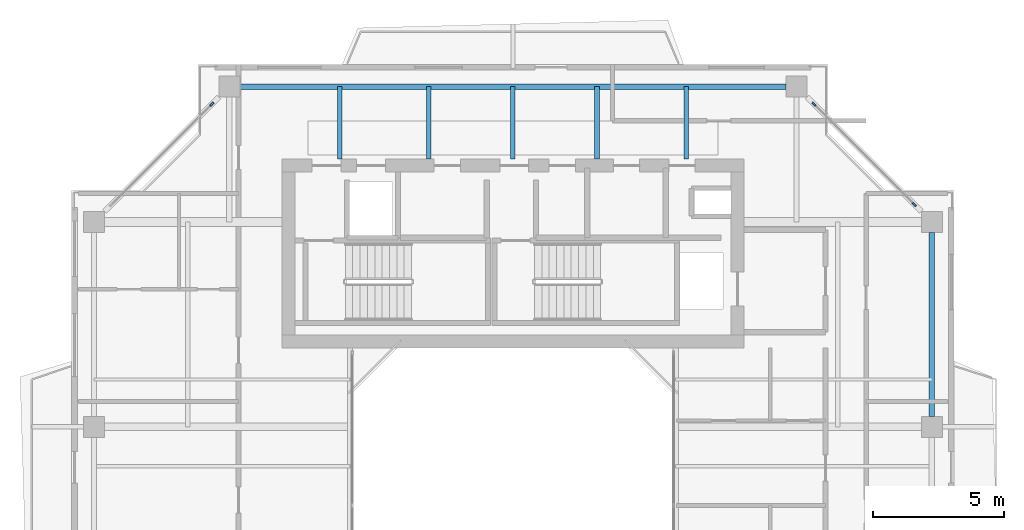
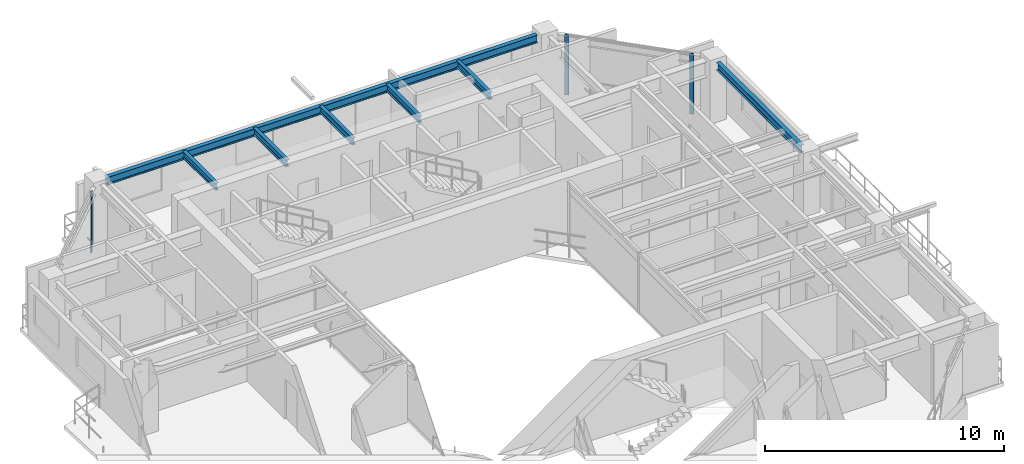
# One storey, part 8 of 15: 7 beams, 3 members, 2 elements without a shape of their own.
"""IFC4 building model written with IfcOpenShell, lengths in metres."""

import ifcopenshell
import ifcopenshell.guid

model = None  # the IFC model being written
_history = None  # IfcOwnerHistory: only IFC2X3 demands one
_inside = {}  # id of a spatial element -> (the spatial element, [elements in it])
_under = {}  # id of a project, library or spatial element -> (it, [spatial elements below it])
_declared = {}  # id of a project -> (the project, [libraries it declares])
_typed = {}  # id of a type object -> (the type object, [elements of that type])
_made_of = {}  # id of a material, layer set ... -> (it, [elements and type objects made of it])


def new_model(schema):
    """Start an empty IFC model of exactly this schema.

    Asked for "IFC4X3", IfcOpenShell would pick the latest addendum, in which some entities
    have other attributes; the version numbers below select the first issue.
    IFC2X3 requires an IfcOwnerHistory on every rooted entity: one is made here for all.
    """
    global model, _history
    if schema == "IFC4X3":
        model = ifcopenshell.file(schema_version=(4, 3, 0, 0))
    else:
        model = ifcopenshell.file(schema=schema)
    _inside.clear()
    _under.clear()
    _declared.clear()
    _typed.clear()
    _made_of.clear()
    _history = None
    if model.schema == "IFC2X3":
        org = make("IfcOrganization", Name="unknown")
        user = make(
            "IfcPersonAndOrganization",
            ThePerson=make("IfcPerson", FamilyName="unknown"),
            TheOrganization=org,
        )
        app = make(
            "IfcApplication",
            ApplicationDeveloper=org,
            Version="unknown",
            ApplicationFullName="unknown",
            ApplicationIdentifier="unknown",
        )
        _history = make(
            "IfcOwnerHistory",
            OwningUser=user,
            OwningApplication=app,
            ChangeAction="ADDED",
            CreationDate=0,
        )
    return model


def make(cls, **values):
    """One entity of the class cls with the attributes given. An attribute that is None is left unset."""
    return model.create_entity(
        cls, **{name: value for name, value in values.items() if value is not None}
    )


def rooted(cls, **values):
    """An entity with a GlobalId (a new one), such as an element, a storey or a relation."""
    return make(cls, GlobalId=ifcopenshell.guid.new(), OwnerHistory=_history, **values)


def si_unit(unit_type, name, prefix=None):
    """IfcSIUnit, for example si_unit("LENGTHUNIT", "METRE", prefix="MILLI")."""
    return make("IfcSIUnit", UnitType=unit_type, Prefix=prefix, Name=name)


def assignment(units):
    """IfcUnitAssignment: the units of a project."""
    return None if units is None else make("IfcUnitAssignment", Units=units)


def point(xyz):
    """IfcCartesianPoint."""
    return None if xyz is None else make("IfcCartesianPoint", Coordinates=xyz)


def direction(xyz):
    """IfcDirection."""
    return None if xyz is None else make("IfcDirection", DirectionRatios=xyz)


def frame(location, z_axis=None, x_axis=None):
    """IfcAxis2Placement3D, a coordinate frame: its origin and axes. An axis left out is left unset."""
    return make(
        "IfcAxis2Placement3D",
        Location=point(location),
        Axis=direction(z_axis),
        RefDirection=direction(x_axis),
    )


def frame_2d(location, x_axis=None):
    """IfcAxis2Placement2D, a coordinate frame in the plane: its origin and x axis."""
    return make(
        "IfcAxis2Placement2D", Location=point(location), RefDirection=direction(x_axis)
    )


def origin():
    """The frame at (0, 0, 0) with its axes left unset."""
    return frame((0.0, 0.0, 0.0))


def origin_2d():
    """The frame at (0, 0) in the plane with its x axis left unset."""
    return frame_2d((0.0, 0.0))


def place(relative_to, where):
    """IfcLocalPlacement: puts the frame where relative to a parent placement (None: the world)."""
    return make(
        "IfcLocalPlacement", PlacementRelTo=relative_to, RelativePlacement=where
    )


def context(
    kind, dimensions, precision=None, world=None, true_north=None, identifier=None
):
    """IfcGeometricRepresentationContext, for example the 3D "Model" context."""
    return make(
        "IfcGeometricRepresentationContext",
        ContextIdentifier=identifier,
        ContextType=kind,
        CoordinateSpaceDimension=dimensions,
        Precision=precision,
        WorldCoordinateSystem=world,
        TrueNorth=true_north,
    )


def subcontext(parent, identifier, kind, view, scale=None):
    """IfcGeometricRepresentationSubContext, for example "Body" below "Model"."""
    return make(
        "IfcGeometricRepresentationSubContext",
        ContextIdentifier=identifier,
        ContextType=kind,
        ParentContext=parent,
        TargetScale=scale,
        TargetView=view,
    )


def project(units=None, contexts=None):
    """IfcProject with its units and contexts."""
    return rooted(
        "IfcProject",
        Name="project",
        RepresentationContexts=contexts,
        UnitsInContext=assignment(units),
    )


def spatial(cls, under=None, at=None, **own):
    """A site, building, storey or space (cls), placed at a placement, below another one or the project."""
    s = rooted(cls, ObjectPlacement=at, **own)
    if under is not None:
        _under.setdefault(under.id(), (under, []))[1].append(s)
    return s


def profile(cls, at=None, kind="AREA", **sizes):
    """A parametric profile (cls). Its sizes go by their IFC names, for example OverallWidth=200.0."""
    return make(cls, ProfileType=kind, Position=at, **sizes)


def rectangle(**sizes):
    """IfcRectangleProfileDef."""
    return profile("IfcRectangleProfileDef", **sizes)


def i_section(**sizes):
    """IfcIShapeProfileDef."""
    return profile("IfcIShapeProfileDef", **sizes)


def extrude(swept, where, along, depth):
    """IfcExtrudedAreaSolid: the profile swept, set in the frame where, extruded along a direction by depth."""
    return make(
        "IfcExtrudedAreaSolid",
        SweptArea=swept,
        Position=where,
        ExtrudedDirection=direction(along),
        Depth=depth,
    )


def shape(context_of_items, identifier, shape_type, items):
    """IfcShapeRepresentation: the items that make up one representation, for example the "Body"."""
    return make(
        "IfcShapeRepresentation",
        ContextOfItems=context_of_items,
        RepresentationIdentifier=identifier,
        RepresentationType=shape_type,
        Items=items,
    )


def source(mapping_origin, context_of_items, identifier, shape_type, items):
    """IfcRepresentationMap: a shape defined once, which mapped items show again and again."""
    return make(
        "IfcRepresentationMap",
        MappingOrigin=mapping_origin,
        MappedRepresentation=shape(context_of_items, identifier, shape_type, items),
    )


def transform(
    local_origin,
    x_axis=None,
    y_axis=None,
    z_axis=None,
    scale=None,
    scale2=None,
    scale3=None,
    uniform=True,
):
    """IfcCartesianTransformationOperator3D, or its non-uniform kind. x_axis, y_axis, z_axis: its Axis1, 2, 3."""
    if uniform:
        return make(
            "IfcCartesianTransformationOperator3D",
            Axis1=direction(x_axis),
            Axis2=direction(y_axis),
            LocalOrigin=point(local_origin),
            Scale=scale,
            Axis3=direction(z_axis),
        )
    return make(
        "IfcCartesianTransformationOperator3DnonUniform",
        Axis1=direction(x_axis),
        Axis2=direction(y_axis),
        LocalOrigin=point(local_origin),
        Scale=scale,
        Axis3=direction(z_axis),
        Scale2=scale2,
        Scale3=scale3,
    )


def mapped(mapping_source, mapping_target):
    """IfcMappedItem: shows the shape of a source again, moved by a transform."""
    return make(
        "IfcMappedItem", MappingSource=mapping_source, MappingTarget=mapping_target
    )


def material(Name=None, Category=None):
    """IfcMaterial."""
    return make("IfcMaterial", Name=Name, Category=Category)


def layer(
    of_material, thickness, ventilated=None, Name=None, Category=None, Priority=None
):
    """IfcMaterialLayer: one layer of a wall or slab, of a material (None: an air gap)."""
    return make(
        "IfcMaterialLayer",
        Material=of_material,
        LayerThickness=thickness,
        IsVentilated=ventilated,
        Name=Name,
        Category=Category,
        Priority=Priority,
    )


def layer_set(layers, Name=None):
    """IfcMaterialLayerSet."""
    return make("IfcMaterialLayerSet", MaterialLayers=layers, LayerSetName=Name)


def material_profile(
    of_material, cross_section, Name=None, Category=None, Priority=None
):
    """IfcMaterialProfile: a cross section and its material."""
    return make(
        "IfcMaterialProfile",
        Name=Name,
        Material=of_material,
        Profile=cross_section,
        Priority=Priority,
        Category=Category,
    )


def profile_set(profiles, Name=None, composite=None):
    """IfcMaterialProfileSet."""
    return make(
        "IfcMaterialProfileSet",
        Name=Name,
        MaterialProfiles=profiles,
        CompositeProfile=composite,
    )


def made_of(thing, what):
    """Note that an element or type object is made of a material, layer set ...; save() writes the relation."""
    if what is not None:
        _made_of.setdefault(what.id(), (what, []))[1].append(thing)
    return thing


def type_object(cls, material=None, **own):
    """A type object (cls), such as IfcWallType, which elements share."""
    return made_of(rooted(cls, **own), material)


def element(
    cls,
    number,
    at=None,
    inside=None,
    cuts=None,
    type_object=None,
    material=None,
    context=None,
    identifier="Body",
    shape_type=None,
    held_by="IfcProductDefinitionShape",
    body=None,
    shapes=None,
    **own,
):
    """One element of the class cls, such as IfcWall. Its Tag is "e" and its number.

    at: its placement. inside: the storey or other place that contains it. cuts: it is an
    opening in that element (IfcRelVoidsElement). A single representation is given by context,
    identifier, shape_type and body (its items); several are given by shapes. held_by: the class
    of the entity that holds the representations. save() writes the other relations.
    """
    e = rooted(cls, Tag="e%d" % number, ObjectPlacement=at, **own)
    if body is not None:
        shapes = [shape(context, identifier, shape_type, body)]
    if shapes is not None:
        e.Representation = make(held_by, Representations=shapes)
    if inside is not None:
        _inside.setdefault(inside.id(), (inside, []))[1].append(e)
    if cuts is not None:
        rooted(
            "IfcRelVoidsElement", RelatingBuildingElement=cuts, RelatedOpeningElement=e
        )
    if type_object is not None:
        _typed.setdefault(type_object.id(), (type_object, []))[1].append(e)
    return made_of(e, material)


def aggregate(whole, parts):
    """IfcRelAggregates: a whole, such as a stair, and the parts it consists of."""
    return rooted("IfcRelAggregates", RelatingObject=whole, RelatedObjects=parts)


def save(model, path):
    """Write the relations noted so far, then the file.

    IfcRelAggregates (storeys below a building ...), IfcRelContainedInSpatialStructure (elements
    in a storey), IfcRelDefinesByType, IfcRelAssociatesMaterial and IfcRelDeclares: one each for
    every whole, place, type object, material and project.
    """
    for whole, parts in _under.values():
        aggregate(whole, parts)
    for where, things in _inside.values():
        rooted(
            "IfcRelContainedInSpatialStructure",
            RelatedElements=things,
            RelatingStructure=where,
        )
    for kind, things in _typed.values():
        rooted("IfcRelDefinesByType", RelatedObjects=things, RelatingType=kind)
    for what, things in _made_of.values():
        rooted("IfcRelAssociatesMaterial", RelatedObjects=things, RelatingMaterial=what)
    for by, libraries in _declared.values():
        rooted("IfcRelDeclares", RelatingContext=by, RelatedDefinitions=libraries)
    model.write(path)


model = new_model("IFC4")

# Units and contexts
model_context = context("Model", 3, precision=1e-05, world=origin(), true_north=direction((0.0, 1.0)))
body_context = subcontext(model_context, "Body", "Model", "MODEL_VIEW")
ifc_project = project(units=[si_unit("LENGTHUNIT", "METRE"), si_unit("AREAUNIT", "SQUARE_METRE"), si_unit("VOLUMEUNIT", "CUBIC_METRE"), si_unit("PLANEANGLEUNIT", "RADIAN"), si_unit("MASSUNIT", "GRAM", prefix="KILO"), si_unit("THERMODYNAMICTEMPERATUREUNIT", "KELVIN"), si_unit("POWERUNIT", "WATT")], contexts=[model_context])

# Site, building, storey
site_placement = place(None, origin())
site = spatial("IfcSite", under=ifc_project, at=site_placement, CompositionType="ELEMENT")
building_placement = place(site_placement, origin())
building = spatial("IfcBuilding", under=site, at=building_placement, Name="Qiaomeng Ring Towers", CompositionType="ELEMENT")
storey_placement = place(building_placement, frame((0.0, 0.0, 206.75)))
storey = spatial("IfcBuildingStorey", under=building, at=storey_placement, Name="L60", CompositionType="ELEMENT", Elevation=206.75)

# Beams
ifc_material_1 = material(Name="Steel Q355B", Category="steel")
ifc_material_profile_1 = material_profile(ifc_material_1, i_section(OverallWidth=0.198974609375, OverallDepth=0.39599609375, WebThickness=0.007080078125, FlangeThickness=0.010986328125, FilletRadius=0.01611328125, at=origin_2d()), Name="HN 396x199x7x11")
ifc_profile_set_1 = profile_set([ifc_material_profile_1], Name="Steel Q355B")
beam_type_1 = type_object("IfcBeamType", Name="STR-BM-HN396", PredefinedType="SPANDREL", material=ifc_profile_set_1)
shared_shape_1 = source(origin(), body_context, "Body", "SweptSolid", [
    extrude(i_section(OverallWidth=0.198974609375, OverallDepth=0.39599609375, WebThickness=0.007080078125, FlangeThickness=0.010986328125, FilletRadius=0.01611328125, at=origin_2d()), origin(), (0.0, 0.0, 1.0), 20.8017578125),
])
beam_1_placement = place(storey_placement, frame((29.40087890625, 38.949951171875, 2.8720703125), z_axis=(-1.0, 0.0, 0.0), x_axis=(0.0, -1.0, 0.0)))
element("IfcBeam", 1, at=beam_1_placement, inside=storey, type_object=beam_type_1, Name="L60 beam STR-SP-L60-T1-N2-N1", PredefinedType="SPANDREL", context=body_context, shape_type="MappedRepresentation", body=[
    mapped(shared_shape_1, transform((0.0, 0.0, 0.0), x_axis=(1.0, 0.0, 0.0), y_axis=(0.0, 1.0, 0.0), z_axis=(0.0, 0.0, 1.0), scale=1.0)),
])
shared_shape_2 = source(origin(), body_context, "Body", "SweptSolid", [
    extrude(i_section(OverallWidth=0.198974609375, OverallDepth=0.39599609375, WebThickness=0.007080078125, FlangeThickness=0.010986328125, FilletRadius=0.01611328125, at=origin_2d()), origin(), (0.0, 0.0, 1.0), 7.001953125),
])
beam_2_placement = place(storey_placement, frame((34.949951171875, 26.39892578125, 2.8720703125), z_axis=(0.0, 1.0, 0.0), x_axis=(-1.0, 0.0, 0.0)))
element("IfcBeam", 2, at=beam_2_placement, inside=storey, type_object=beam_type_1, Name="L60 beam STR-SP-L60-T1-E3-E4", PredefinedType="SPANDREL", context=body_context, shape_type="MappedRepresentation", body=[
    mapped(shared_shape_2, transform((0.0, 0.0, 0.0), x_axis=(1.0, 0.0, 0.0), y_axis=(0.0, 1.0, 0.0), z_axis=(0.0, 0.0, 1.0), scale=1.0)),
])
ifc_material_profile_2 = material_profile(ifc_material_1, i_section(OverallWidth=0.175048828125, OverallDepth=0.35009765625, WebThickness=0.007080078125, FlangeThickness=0.010986328125, FilletRadius=0.013916015625, at=origin_2d()), Name="HN 350x175x7x11")
ifc_profile_set_2 = profile_set([ifc_material_profile_2], Name="Steel Q355B")
beam_type_2 = type_object("IfcBeamType", Name="STR-BM-HN350", PredefinedType="JOIST", material=ifc_profile_set_2)
shared_shape_3 = source(origin(), body_context, "Body", "SweptSolid", [
    extrude(i_section(OverallWidth=0.175048828125, OverallDepth=0.35009765625, WebThickness=0.007080078125, FlangeThickness=0.010986328125, FilletRadius=0.013916015625, at=origin_2d()), origin(), (0.0, 0.0, 1.0), 2.75),
])
for number, where, z_axis, x_axis, name in (
    (3, (12.39990234375, 36.199951171875, 2.89501953125), (0.0, 1.0, 0.0), (-1.0, 0.0, 0.0), "L60 beam STR-JST-L60-T1N-1"),
    (4, (15.800048828125, 36.199951171875, 2.89501953125), (0.0, 1.0, 0.0), (-1.0, 0.0, 0.0), "L60 beam STR-JST-L60-T1N-2"),
    (5, (19.0, 36.199951171875, 2.89501953125), (0.0, 1.0, 0.0), (-1.0, 0.0, 0.0), "L60 beam STR-JST-L60-T1N-3"),
    (6, (22.199951171875, 36.199951171875, 2.89501953125), (0.0, 1.0, 0.0), (-1.0, 0.0, 0.0), "L60 beam STR-JST-L60-T1N-4"),
    (7, (25.60009765625, 36.199951171875, 2.89501953125), (0.0, 1.0, 0.0), (-1.0, 0.0, 0.0), "L60 beam STR-JST-L60-T1N-5"),
):
    element("IfcBeam", number, at=place(storey_placement, frame(where, z_axis=z_axis, x_axis=x_axis)), inside=storey, type_object=beam_type_2, Name=name, PredefinedType="JOIST", context=body_context, shape_type="MappedRepresentation", body=[
        mapped(shared_shape_3, transform((0.0, 0.0, 0.0), x_axis=(1.0, 0.0, 0.0), y_axis=(0.0, 1.0, 0.0), z_axis=(0.0, 0.0, 1.0), scale=1.0)),
    ])

# Curtain wall, members
ifc_material_2 = material(Name="Fluorocarbon dark-grey aluminium", Category="aluminium")
ifc_layer = layer(ifc_material_2, 0.14990234375, Name="Fluorocarbon dark-grey aluminium")
ifc_layer_set = layer_set([ifc_layer], Name="Fluorocarbon dark-grey aluminium")
curtain_wall_type = type_object("IfcCurtainWallType", Name="ARC-CW-3", PredefinedType="NOTDEFINED", material=ifc_layer_set)
curtain_wall_1_placement = place(storey_placement, origin())
curtain_wall_1 = element("IfcCurtainWall", 8, at=curtain_wall_1_placement, inside=storey, type_object=curtain_wall_type, Name="L60 Curtain Wall CW3", PredefinedType="NOTDEFINED")
ifc_material_profile_3 = material_profile(ifc_material_2, rectangle(XDim=0.070068359375, YDim=0.179931640625, at=origin_2d()), Name="ALU MULL 70x180")
ifc_profile_set_3 = profile_set([ifc_material_profile_3], Name="Fluorocarbon dark-grey aluminium")
member_type = type_object("IfcMemberType", Name="ARC-CWM-160", PredefinedType="MULLION", material=ifc_profile_set_3)
shared_shape_4 = source(origin(), body_context, "Body", "SweptSolid", [
    extrude(rectangle(XDim=0.070068359375, YDim=0.179931640625, at=origin_2d()), origin(), (0.0, 0.0, 1.0), 3.070068359375),
])
member_1_placement = place(storey_placement, frame((34.28515625, 34.46484375, 0.0), z_axis=(0.0, 0.0, 1.0), x_axis=(-0.707106781187, -0.707106781187, 0.0)))
member_1 = element("IfcMember", 9, at=member_1_placement, type_object=member_type, Name="CW3 mullion 1", PredefinedType="MULLION", context=body_context, shape_type="MappedRepresentation", body=[
    mapped(shared_shape_4, transform((0.0, 0.0, 0.0), x_axis=(1.0, 0.0, 0.0), y_axis=(0.0, 1.0, 0.0), z_axis=(0.0, 0.0, 1.0), scale=1.0)),
])
member_2_placement = place(storey_placement, frame((30.46484375, 38.28515625, 0.0), z_axis=(0.0, 0.0, 1.0), x_axis=(-0.707106781187, -0.707106781187, 0.0)))
member_2 = element("IfcMember", 10, at=member_2_placement, type_object=member_type, Name="CW3 mullion 2", PredefinedType="MULLION", context=body_context, shape_type="MappedRepresentation", body=[
    mapped(shared_shape_4, transform((0.0, 0.0, 0.0), x_axis=(1.0, 0.0, 0.0), y_axis=(0.0, 1.0, 0.0), z_axis=(0.0, 0.0, 1.0), scale=1.0)),
])
aggregate(curtain_wall_1, [member_1, member_2])

# Curtain wall, member
curtain_wall_2_placement = place(storey_placement, origin())
curtain_wall_2 = element("IfcCurtainWall", 11, at=curtain_wall_2_placement, inside=storey, type_object=curtain_wall_type, Name="L60 Curtain Wall CW3", PredefinedType="NOTDEFINED")
member_3_placement = place(storey_placement, frame((7.53515625, 38.28515625, 0.0), z_axis=(0.0, 0.0, 1.0), x_axis=(0.707106781187, -0.707106781187, 0.0)))
member_3 = element("IfcMember", 12, at=member_3_placement, type_object=member_type, Name="CW3 mullion 1", PredefinedType="MULLION", context=body_context, shape_type="MappedRepresentation", body=[
    mapped(shared_shape_4, transform((0.0, 0.0, 0.0), x_axis=(1.0, 0.0, 0.0), y_axis=(0.0, 1.0, 0.0), z_axis=(0.0, 0.0, 1.0), scale=1.0)),
])
aggregate(curtain_wall_2, [member_3])

save(model, "model.ifc")
